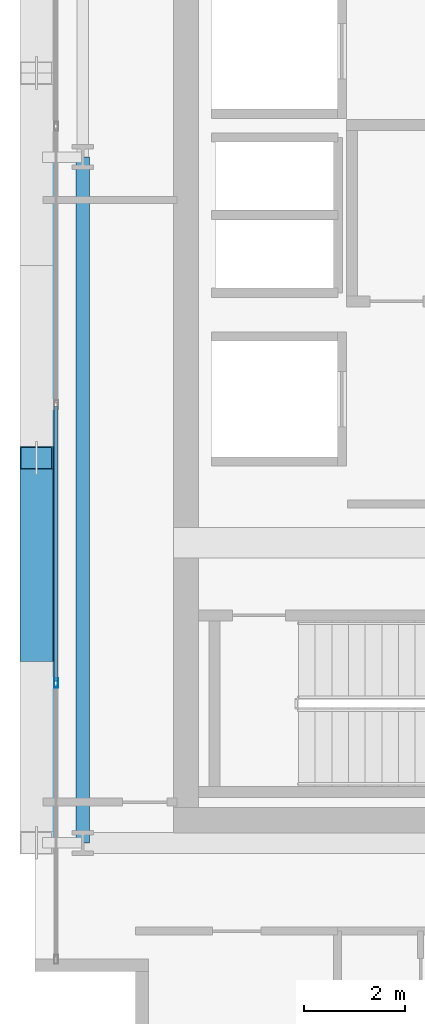
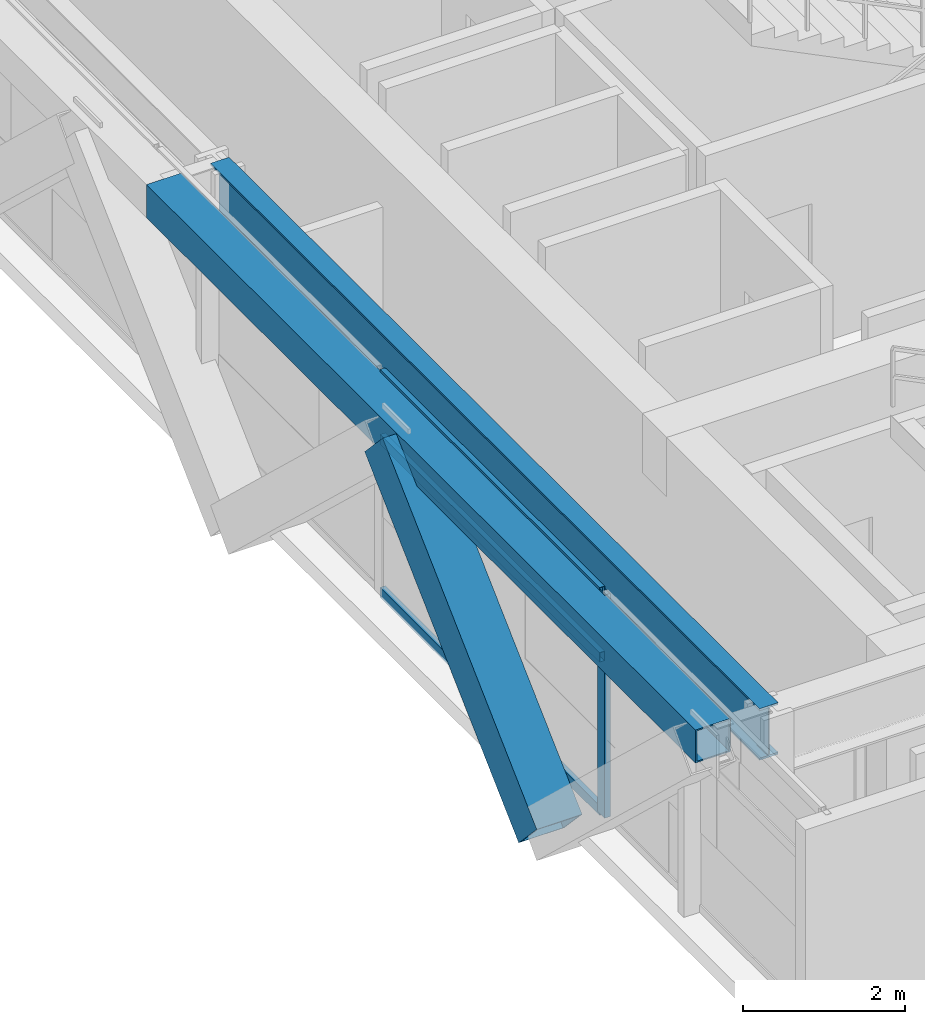
# One storey, part 4 of 38: 5 members, 2 beams, 1 element without a shape of its own.
"""IFC4 building model written with IfcOpenShell, lengths in metres."""

from ifc_helpers import new_model, si_unit, direction, frame, origin, origin_2d, place, context, subcontext, project, spatial, hollow_rectangle, i_section, extrude, source, transform, mapped, material, layer, layer_set, material_profile, profile_set, type_object, element, aggregate, save


model = new_model("IFC4")

# Units and contexts
model_context = context("Model", 3, precision=1e-05, world=origin(), true_north=direction((0.0, 1.0)))
body_context = subcontext(model_context, "Body", "Model", "MODEL_VIEW")
ifc_project = project(units=[si_unit("LENGTHUNIT", "METRE"), si_unit("AREAUNIT", "SQUARE_METRE"), si_unit("VOLUMEUNIT", "CUBIC_METRE"), si_unit("PLANEANGLEUNIT", "RADIAN"), si_unit("MASSUNIT", "GRAM", prefix="KILO")], contexts=[model_context])

# Site, building, storey
site_placement = place(None, origin())
site = spatial("IfcSite", under=ifc_project, at=site_placement, CompositionType="ELEMENT")
building_placement = place(site_placement, origin())
building = spatial("IfcBuilding", under=site, at=building_placement, Name="Ocotamira Hotel", CompositionType="ELEMENT")
storey_placement = place(building_placement, frame((0.0, 0.0, 170.39990234375)))
storey = spatial("IfcBuildingStorey", under=building, at=storey_placement, Name="L42", CompositionType="ELEMENT", Elevation=170.39990234375)

# Beams
ifc_material_1 = material(Name="Steel ASTM A992 Grade 50", Category="steel")
ifc_material_profile_1 = material_profile(ifc_material_1, i_section(OverallWidth=0.26611328125, OverallDepth=0.779052734375, WebThickness=0.0166015625, FlangeThickness=0.030029296875, FilletRadius=0.01806640625, at=origin_2d()), Name="W30X148")
ifc_profile_set_1 = profile_set([ifc_material_profile_1], Name="Steel ASTM A992 Grade 50")
beam_type_1 = type_object("IfcBeamType", Name="BM-GIRD-W30X148", PredefinedType="BEAM", material=ifc_profile_set_1)
shared_shape_1 = source(origin(), body_context, "Body", "SweptSolid", [
    extrude(i_section(OverallWidth=0.26611328125, OverallDepth=0.779052734375, WebThickness=0.0166015625, FlangeThickness=0.030029296875, FilletRadius=0.01806640625, at=origin_2d()), origin(), (0.0, 0.0, 1.0), 13.599853515625),
])
beam_1_placement = place(storey_placement, frame((8.949951171875, 14.550048828125, 2.980712890625), z_axis=(0.0, 1.0, 0.0), x_axis=(-1.0, 0.0, 0.0)))
element("IfcBeam", 1, at=beam_1_placement, inside=storey, type_object=beam_type_1, Name="L42 Beam X8.95 Y14.55-28.15", PredefinedType="BEAM", context=body_context, shape_type="MappedRepresentation", body=[
    mapped(shared_shape_1, transform((0.0, 0.0, 0.0), scale=1.0)),
])
ifc_material_2 = material(Name="Steel ASTM A500 Grade C", Category="steel")
ifc_material_profile_2 = material_profile(ifc_material_2, hollow_rectangle(XDim=0.5, YDim=0.5, WallThickness=0.02001953125, at=origin_2d()), Name="HSS500X500X20")
ifc_profile_set_2 = profile_set([ifc_material_profile_2], Name="Steel ASTM A500 Grade C")
beam_type_2 = type_object("IfcBeamType", Name="BM-SPAN-HSS500", PredefinedType="USERDEFINED", material=ifc_profile_set_2)
shared_shape_2 = source(origin(), body_context, "Body", "SweptSolid", [
    extrude(hollow_rectangle(XDim=0.5, YDim=0.5, WallThickness=0.02001953125, at=origin_2d()), origin(), (0.0, 0.0, 1.0), 13.599853515625),
])
beam_2_placement = place(storey_placement, frame((8.14990234375, 14.550048828125, 3.1201171875), z_axis=(0.0, 1.0, 0.0), x_axis=(-1.0, 0.0, 0.0)))
element("IfcBeam", 2, at=beam_2_placement, inside=storey, type_object=beam_type_2, Name="L42 Edge Spandrel W Y14.55-28.15", ObjectType="SPANDREL", PredefinedType="USERDEFINED", context=body_context, shape_type="MappedRepresentation", body=[
    mapped(shared_shape_2, transform((0.0, 0.0, 0.0), scale=1.0)),
])

# Member
ifc_material_3 = material(Name="Pale-metal coated steel ASTM A913 Grade 65", Category="steel")
ifc_material_profile_3 = material_profile(ifc_material_3, hollow_rectangle(XDim=0.64990234375, YDim=0.64990234375, WallThickness=0.02197265625, at=origin_2d()), Name="BOX650X650X22")
ifc_profile_set_3 = profile_set([ifc_material_profile_3], Name="Pale-metal coated steel ASTM A913 Grade 65")
member_type_1 = type_object("IfcMemberType", Name="MEM-EXO-BOX650", PredefinedType="BRACE", material=ifc_profile_set_3)
shared_shape_3 = source(origin(), body_context, "Body", "SweptSolid", [
    extrude(hollow_rectangle(XDim=0.64990234375, YDim=0.64990234375, WallThickness=0.02197265625, at=origin_2d()), origin(), (0.0, 0.0, 1.0), 5.24658203125),
])
member_1_placement = place(storey_placement, frame((8.030029296875, 18.36669921875, -0.47998046875), z_axis=(0.0, 0.727442733726, 0.686168397078), x_axis=(-1.0, 0.0, 0.0)))
element("IfcMember", 3, at=member_1_placement, inside=storey, type_object=member_type_1, Name="L42 Exoskeleton Diagrid W0.2", PredefinedType="BRACE", context=body_context, shape_type="MappedRepresentation", body=[
    mapped(shared_shape_3, transform((0.0, 0.0, 0.0), scale=1.0)),
])

# Curtain wall, members
ifc_material_4 = material(Name="Anodised pale-metal aluminium and solar glass", Category="aluminium")
ifc_layer = layer(ifc_material_4, 0.199951171875)
ifc_layer_set = layer_set([ifc_layer], Name="Anodised pale-metal aluminium and solar glass")
curtain_wall_type = type_object("IfcCurtainWallType", Name="CW-SYS4-Z3", PredefinedType="NOTDEFINED", material=ifc_layer_set)
curtain_wall_placement = place(storey_placement, origin())
curtain_wall = element("IfcCurtainWall", 4, at=curtain_wall_placement, inside=storey, type_object=curtain_wall_type, Name="L42 Curtain Wall CW-4 CW-L42-W", PredefinedType="NOTDEFINED")
ifc_material_5 = material(Name="Anodised pale-metal aluminium 6063-T6", Category="aluminium")
ifc_material_profile_4 = material_profile(ifc_material_5, hollow_rectangle(XDim=0.080078125, YDim=0.179931640625, WallThickness=0.006103515625, at=origin_2d()), Name="HSS180X80X6")
ifc_profile_set_4 = profile_set([ifc_material_profile_4], Name="Anodised pale-metal aluminium 6063-T6")
member_type_2 = type_object("IfcMemberType", Name="CWM-180X75", PredefinedType="MULLION", material=ifc_profile_set_4)
shared_shape_4 = source(origin(), body_context, "Body", "SweptSolid", [
    extrude(hollow_rectangle(XDim=0.080078125, YDim=0.179931640625, WallThickness=0.006103515625, at=origin_2d()), origin(), (0.0, 0.0, 1.0), 3.3701171875),
])
member_2_placement = place(storey_placement, frame((8.419921875, 17.719970703125, 0.0), z_axis=(0.0, 0.0, 1.0), x_axis=(-1.0, 0.0, 0.0)))
member_2 = element("IfcMember", 5, at=member_2_placement, type_object=member_type_2, Name="CW-4 mullion 2", PredefinedType="MULLION", context=body_context, shape_type="MappedRepresentation", body=[
    mapped(shared_shape_4, transform((0.0, 0.0, 0.0), scale=1.0)),
])
ifc_material_profile_5 = material_profile(ifc_material_5, hollow_rectangle(XDim=0.074951171875, YDim=0.14990234375, WallThickness=0.006103515625, at=origin_2d()), Name="HSS150X75X6")
ifc_profile_set_5 = profile_set([ifc_material_profile_5], Name="Anodised pale-metal aluminium 6063-T6")
member_type_3 = type_object("IfcMemberType", Name="CWT-150X75", PredefinedType="USERDEFINED", material=ifc_profile_set_5)
shared_shape_5 = source(origin(), body_context, "Body", "SweptSolid", [
    extrude(hollow_rectangle(XDim=0.074951171875, YDim=0.14990234375, WallThickness=0.006103515625, at=origin_2d()), origin(), (0.0, 0.0, 1.0), 5.43994140625),
])
member_3_placement = place(storey_placement, frame((8.419921875, 17.760009765625, 0.03759765625), z_axis=(0.0, 1.0, 0.0), x_axis=(-1.0, 0.0, 0.0)))
member_3 = element("IfcMember", 6, at=member_3_placement, type_object=member_type_3, Name="CW-4 transom 2.1", ObjectType="TRANSOM", PredefinedType="USERDEFINED", context=body_context, shape_type="MappedRepresentation", body=[
    mapped(shared_shape_5, transform((0.0, 0.0, 0.0), scale=1.0)),
])
member_4_placement = place(storey_placement, frame((8.419921875, 17.760009765625, 2.35009765625), z_axis=(0.0, 1.0, 0.0), x_axis=(-1.0, 0.0, 0.0)))
member_4 = element("IfcMember", 7, at=member_4_placement, type_object=member_type_3, Name="CW-4 transom 2.2", ObjectType="TRANSOM", PredefinedType="USERDEFINED", context=body_context, shape_type="MappedRepresentation", body=[
    mapped(shared_shape_5, transform((0.0, 0.0, 0.0), scale=1.0)),
])
member_5_placement = place(storey_placement, frame((8.419921875, 17.760009765625, 3.33251953125), z_axis=(0.0, 1.0, 0.0), x_axis=(-1.0, 0.0, 0.0)))
member_5 = element("IfcMember", 8, at=member_5_placement, type_object=member_type_3, Name="CW-4 transom 2.3", ObjectType="TRANSOM", PredefinedType="USERDEFINED", context=body_context, shape_type="MappedRepresentation", body=[
    mapped(shared_shape_5, transform((0.0, 0.0, 0.0), scale=1.0)),
])
aggregate(curtain_wall, [member_2, member_3, member_4, member_5])

save(model, "model.ifc")
